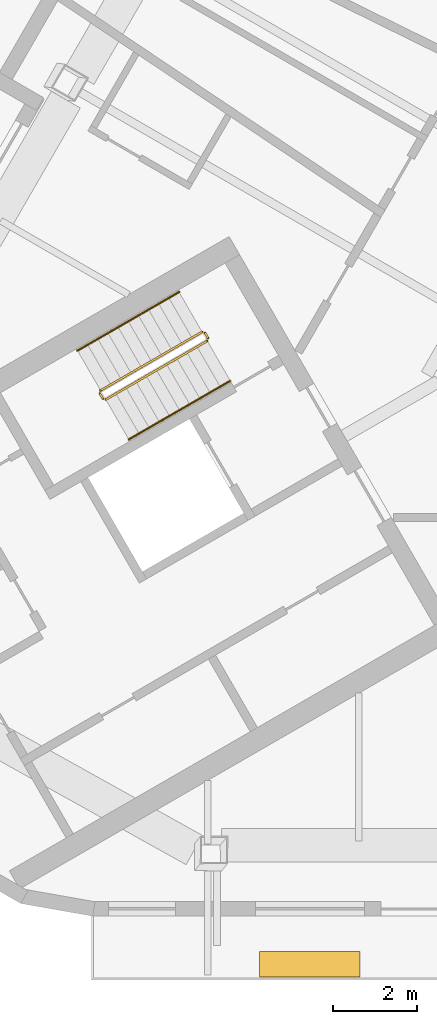
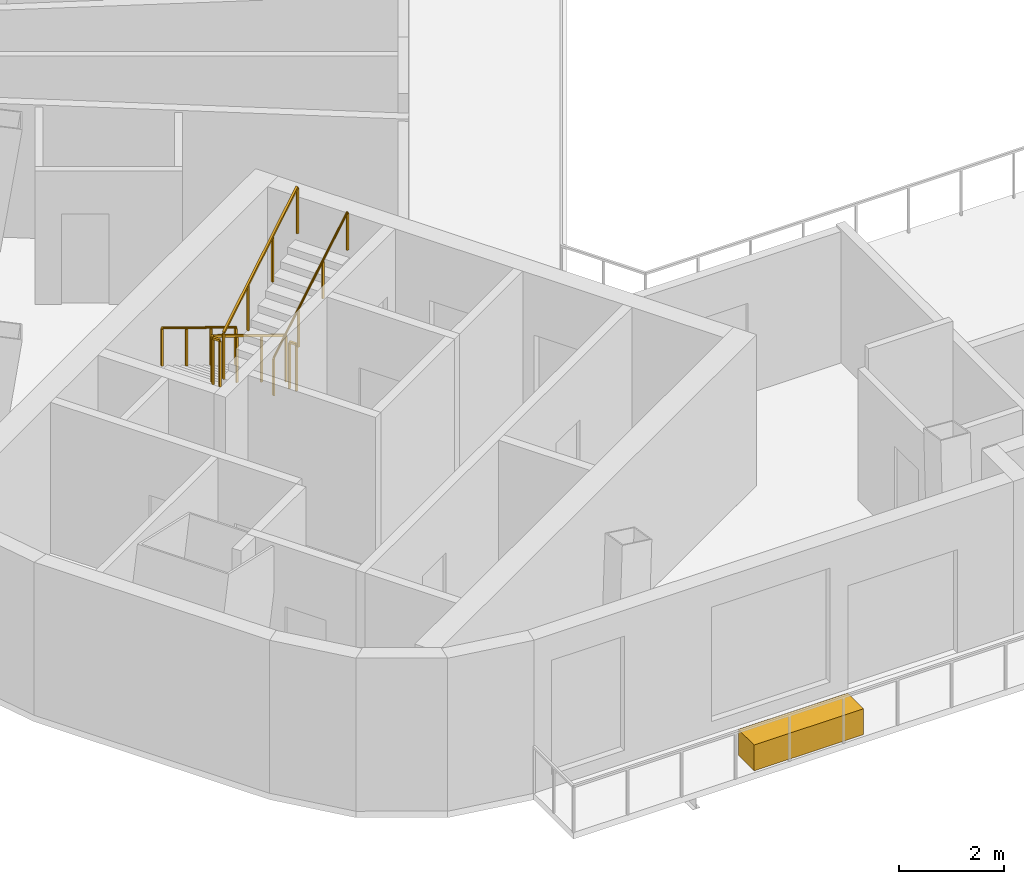
# One storey, part 9 of 13: 6 railings, 1 covering.
"""IFC4 building model written with IfcOpenShell, lengths in metres."""

import ifcopenshell
import ifcopenshell.guid

model = None  # the IFC model being written
_history = None  # IfcOwnerHistory: only IFC2X3 demands one
_inside = {}  # id of a spatial element -> (the spatial element, [elements in it])
_under = {}  # id of a project, library or spatial element -> (it, [spatial elements below it])
_declared = {}  # id of a project -> (the project, [libraries it declares])
_typed = {}  # id of a type object -> (the type object, [elements of that type])
_made_of = {}  # id of a material, layer set ... -> (it, [elements and type objects made of it])


def new_model(schema):
    """Start an empty IFC model of exactly this schema.

    Asked for "IFC4X3", IfcOpenShell would pick the latest addendum, in which some entities
    have other attributes; the version numbers below select the first issue.
    IFC2X3 requires an IfcOwnerHistory on every rooted entity: one is made here for all.
    """
    global model, _history
    if schema == "IFC4X3":
        model = ifcopenshell.file(schema_version=(4, 3, 0, 0))
    else:
        model = ifcopenshell.file(schema=schema)
    _inside.clear()
    _under.clear()
    _declared.clear()
    _typed.clear()
    _made_of.clear()
    _history = None
    if model.schema == "IFC2X3":
        org = make("IfcOrganization", Name="unknown")
        user = make(
            "IfcPersonAndOrganization",
            ThePerson=make("IfcPerson", FamilyName="unknown"),
            TheOrganization=org,
        )
        app = make(
            "IfcApplication",
            ApplicationDeveloper=org,
            Version="unknown",
            ApplicationFullName="unknown",
            ApplicationIdentifier="unknown",
        )
        _history = make(
            "IfcOwnerHistory",
            OwningUser=user,
            OwningApplication=app,
            ChangeAction="ADDED",
            CreationDate=0,
        )
    return model


def make(cls, **values):
    """One entity of the class cls with the attributes given. An attribute that is None is left unset."""
    return model.create_entity(
        cls, **{name: value for name, value in values.items() if value is not None}
    )


def rooted(cls, **values):
    """An entity with a GlobalId (a new one), such as an element, a storey or a relation."""
    return make(cls, GlobalId=ifcopenshell.guid.new(), OwnerHistory=_history, **values)


def si_unit(unit_type, name, prefix=None):
    """IfcSIUnit, for example si_unit("LENGTHUNIT", "METRE", prefix="MILLI")."""
    return make("IfcSIUnit", UnitType=unit_type, Prefix=prefix, Name=name)


def assignment(units):
    """IfcUnitAssignment: the units of a project."""
    return None if units is None else make("IfcUnitAssignment", Units=units)


def point(xyz):
    """IfcCartesianPoint."""
    return None if xyz is None else make("IfcCartesianPoint", Coordinates=xyz)


def direction(xyz):
    """IfcDirection."""
    return None if xyz is None else make("IfcDirection", DirectionRatios=xyz)


def frame(location, z_axis=None, x_axis=None):
    """IfcAxis2Placement3D, a coordinate frame: its origin and axes. An axis left out is left unset."""
    return make(
        "IfcAxis2Placement3D",
        Location=point(location),
        Axis=direction(z_axis),
        RefDirection=direction(x_axis),
    )


def frame_2d(location, x_axis=None):
    """IfcAxis2Placement2D, a coordinate frame in the plane: its origin and x axis."""
    return make(
        "IfcAxis2Placement2D", Location=point(location), RefDirection=direction(x_axis)
    )


def origin():
    """The frame at (0, 0, 0) with its axes left unset."""
    return frame((0.0, 0.0, 0.0))


def origin_2d():
    """The frame at (0, 0) in the plane with its x axis left unset."""
    return frame_2d((0.0, 0.0))


def place(relative_to, where):
    """IfcLocalPlacement: puts the frame where relative to a parent placement (None: the world)."""
    return make(
        "IfcLocalPlacement", PlacementRelTo=relative_to, RelativePlacement=where
    )


def context(
    kind, dimensions, precision=None, world=None, true_north=None, identifier=None
):
    """IfcGeometricRepresentationContext, for example the 3D "Model" context."""
    return make(
        "IfcGeometricRepresentationContext",
        ContextIdentifier=identifier,
        ContextType=kind,
        CoordinateSpaceDimension=dimensions,
        Precision=precision,
        WorldCoordinateSystem=world,
        TrueNorth=true_north,
    )


def subcontext(parent, identifier, kind, view, scale=None):
    """IfcGeometricRepresentationSubContext, for example "Body" below "Model"."""
    return make(
        "IfcGeometricRepresentationSubContext",
        ContextIdentifier=identifier,
        ContextType=kind,
        ParentContext=parent,
        TargetScale=scale,
        TargetView=view,
    )


def project(units=None, contexts=None):
    """IfcProject with its units and contexts."""
    return rooted(
        "IfcProject",
        Name="project",
        RepresentationContexts=contexts,
        UnitsInContext=assignment(units),
    )


def spatial(cls, under=None, at=None, **own):
    """A site, building, storey or space (cls), placed at a placement, below another one or the project."""
    s = rooted(cls, ObjectPlacement=at, **own)
    if under is not None:
        _under.setdefault(under.id(), (under, []))[1].append(s)
    return s


def profile(cls, at=None, kind="AREA", **sizes):
    """A parametric profile (cls). Its sizes go by their IFC names, for example OverallWidth=200.0."""
    return make(cls, ProfileType=kind, Position=at, **sizes)


def rectangle(**sizes):
    """IfcRectangleProfileDef."""
    return profile("IfcRectangleProfileDef", **sizes)


def circle(**sizes):
    """IfcCircleProfileDef."""
    return profile("IfcCircleProfileDef", **sizes)


def extrude(swept, where, along, depth):
    """IfcExtrudedAreaSolid: the profile swept, set in the frame where, extruded along a direction by depth."""
    return make(
        "IfcExtrudedAreaSolid",
        SweptArea=swept,
        Position=where,
        ExtrudedDirection=direction(along),
        Depth=depth,
    )


def shape(context_of_items, identifier, shape_type, items):
    """IfcShapeRepresentation: the items that make up one representation, for example the "Body"."""
    return make(
        "IfcShapeRepresentation",
        ContextOfItems=context_of_items,
        RepresentationIdentifier=identifier,
        RepresentationType=shape_type,
        Items=items,
    )


def material(Name=None, Category=None):
    """IfcMaterial."""
    return make("IfcMaterial", Name=Name, Category=Category)


def made_of(thing, what):
    """Note that an element or type object is made of a material, layer set ...; save() writes the relation."""
    if what is not None:
        _made_of.setdefault(what.id(), (what, []))[1].append(thing)
    return thing


def type_object(cls, material=None, **own):
    """A type object (cls), such as IfcWallType, which elements share."""
    return made_of(rooted(cls, **own), material)


def element(
    cls,
    number,
    at=None,
    inside=None,
    cuts=None,
    type_object=None,
    material=None,
    context=None,
    identifier="Body",
    shape_type=None,
    held_by="IfcProductDefinitionShape",
    body=None,
    shapes=None,
    **own,
):
    """One element of the class cls, such as IfcWall. Its Tag is "e" and its number.

    at: its placement. inside: the storey or other place that contains it. cuts: it is an
    opening in that element (IfcRelVoidsElement). A single representation is given by context,
    identifier, shape_type and body (its items); several are given by shapes. held_by: the class
    of the entity that holds the representations. save() writes the other relations.
    """
    e = rooted(cls, Tag="e%d" % number, ObjectPlacement=at, **own)
    if body is not None:
        shapes = [shape(context, identifier, shape_type, body)]
    if shapes is not None:
        e.Representation = make(held_by, Representations=shapes)
    if inside is not None:
        _inside.setdefault(inside.id(), (inside, []))[1].append(e)
    if cuts is not None:
        rooted(
            "IfcRelVoidsElement", RelatingBuildingElement=cuts, RelatedOpeningElement=e
        )
    if type_object is not None:
        _typed.setdefault(type_object.id(), (type_object, []))[1].append(e)
    return made_of(e, material)


def aggregate(whole, parts):
    """IfcRelAggregates: a whole, such as a stair, and the parts it consists of."""
    return rooted("IfcRelAggregates", RelatingObject=whole, RelatedObjects=parts)


def save(model, path):
    """Write the relations noted so far, then the file.

    IfcRelAggregates (storeys below a building ...), IfcRelContainedInSpatialStructure (elements
    in a storey), IfcRelDefinesByType, IfcRelAssociatesMaterial and IfcRelDeclares: one each for
    every whole, place, type object, material and project.
    """
    for whole, parts in _under.values():
        aggregate(whole, parts)
    for where, things in _inside.values():
        rooted(
            "IfcRelContainedInSpatialStructure",
            RelatedElements=things,
            RelatingStructure=where,
        )
    for kind, things in _typed.values():
        rooted("IfcRelDefinesByType", RelatedObjects=things, RelatingType=kind)
    for what, things in _made_of.values():
        rooted("IfcRelAssociatesMaterial", RelatedObjects=things, RelatingMaterial=what)
    for by, libraries in _declared.values():
        rooted("IfcRelDeclares", RelatingContext=by, RelatedDefinitions=libraries)
    model.write(path)


model = new_model("IFC4")

# Units and contexts
model_context = context("Model", 3, precision=1e-05, world=origin(), true_north=direction((0.0, 1.0)))
body_context = subcontext(model_context, "Body", "Model", "MODEL_VIEW")
ifc_project = project(units=[si_unit("LENGTHUNIT", "METRE"), si_unit("AREAUNIT", "SQUARE_METRE"), si_unit("VOLUMEUNIT", "CUBIC_METRE"), si_unit("PLANEANGLEUNIT", "RADIAN"), si_unit("MASSUNIT", "GRAM", prefix="KILO")], contexts=[model_context])

# Site, building, storey
site_placement = place(None, origin())
site = spatial("IfcSite", under=ifc_project, at=site_placement, CompositionType="ELEMENT")
building_placement = place(site_placement, origin())
building = spatial("IfcBuilding", under=site, at=building_placement, Name="Apuvela Tower Hotel", CompositionType="ELEMENT")
storey_placement = place(building_placement, frame((0.0, 0.0, 287.39990234375)))
storey = spatial("IfcBuildingStorey", under=building, at=storey_placement, Name="L71", CompositionType="ELEMENT", Elevation=287.39990234375)

# Railings
ifc_material_1 = material(Name="Steel S275 balustrade", Category="steel")
railing_type_1 = type_object("IfcRailingType", Name="COR-GUARD-1100", PredefinedType="GUARDRAIL", material=ifc_material_1)
railing_1_placement = place(storey_placement, frame((-14.569091796875, -3.9658203125, 0.168212890625)))
element("IfcRailing", 1, at=railing_1_placement, inside=storey, type_object=railing_type_1, Name="L71 ST2 stair guard 1", PredefinedType="GUARDRAIL", context=body_context, shape_type="SweptSolid", body=[
    extrude(rectangle(XDim=0.048095703125, YDim=0.048095703125, at=origin_2d()), frame((0.0, 0.0, 1.076171875), z_axis=(-0.742390482028, -0.42860119049, 0.514934356695), x_axis=(0.49998411664, -0.866034573852, 0.0)), (0.0, 0.0, 1.0), 3.26611328125),
    extrude(rectangle(XDim=0.0419921875, YDim=0.0419921875, at=origin_2d()), origin(), (0.0, 0.0, 1.0), 1.052001953125),
    extrude(rectangle(XDim=0.0419921875, YDim=0.0419921875, at=origin_2d()), frame((-0.808349609375, -0.466552734375, 0.560546875)), (0.0, 0.0, 1.0), 1.052001953125),
    extrude(rectangle(XDim=0.0419921875, YDim=0.0419921875, at=origin_2d()), frame((-1.616455078125, -0.933349609375, 1.121337890625)), (0.0, 0.0, 1.0), 1.052001953125),
    extrude(rectangle(XDim=0.0419921875, YDim=0.0419921875, at=origin_2d()), frame((-2.4248046875, -1.39990234375, 1.681884765625)), (0.0, 0.0, 1.0), 1.052001953125),
])
railing_2_placement = place(storey_placement, frame((-17.01220703125, -5.43408203125, 1.85009765625)))
element("IfcRailing", 2, at=railing_2_placement, inside=storey, type_object=railing_type_1, Name="L71 ST2 stair guard 2", PredefinedType="GUARDRAIL", context=body_context, shape_type="SweptSolid", body=[
    extrude(rectangle(XDim=0.048095703125, YDim=0.048095703125, at=origin_2d()), frame((0.0, 0.0, 1.076171875), z_axis=(0.499816412211, -0.866131372301, 0.0), x_axis=(0.866131372301, 0.499816412211, 0.0)), (0.0, 0.0, 1.0), 0.14990234375),
    extrude(rectangle(XDim=0.0419921875, YDim=0.0419921875, at=origin_2d()), origin(), (0.0, 0.0, 1.0), 1.052001953125),
    extrude(rectangle(XDim=0.0419921875, YDim=0.0419921875, at=origin_2d()), frame((0.074951171875, -0.1298828125, 0.0)), (0.0, 0.0, 1.0), 1.052001953125),
])
railing_3_placement = place(storey_placement, frame((-16.868896484375, -5.582275390625, 2.018310546875)))
element("IfcRailing", 3, at=railing_3_placement, inside=storey, type_object=railing_type_1, Name="L71 ST2 stair guard 3", PredefinedType="GUARDRAIL", context=body_context, shape_type="SweptSolid", body=[
    extrude(rectangle(XDim=0.048095703125, YDim=0.048095703125, at=origin_2d()), frame((0.0, 0.0, 1.076171875), z_axis=(0.742390482028, 0.42860119049, 0.514934356695), x_axis=(-0.49998411664, 0.866034573852, 0.0)), (0.0, 0.0, 1.0), 3.26611328125),
    extrude(rectangle(XDim=0.0419921875, YDim=0.0419921875, at=origin_2d()), origin(), (0.0, 0.0, 1.0), 1.052001953125),
    extrude(rectangle(XDim=0.0419921875, YDim=0.0419921875, at=origin_2d()), frame((0.808349609375, 0.466552734375, 0.560546875)), (0.0, 0.0, 1.0), 1.052001953125),
    extrude(rectangle(XDim=0.0419921875, YDim=0.0419921875, at=origin_2d()), frame((1.616455078125, 0.933349609375, 1.121337890625)), (0.0, 0.0, 1.0), 1.052001953125),
    extrude(rectangle(XDim=0.0419921875, YDim=0.0419921875, at=origin_2d()), frame((2.4248046875, 1.39990234375, 1.681884765625)), (0.0, 0.0, 1.0), 1.052001953125),
])
railing_4_placement = place(storey_placement, frame((-14.500732421875, -3.984130859375, 0.0)))
element("IfcRailing", 4, at=railing_4_placement, inside=storey, type_object=railing_type_1, Name="L71 ST2 stair guard 4", PredefinedType="GUARDRAIL", context=body_context, shape_type="SweptSolid", body=[
    extrude(rectangle(XDim=0.048095703125, YDim=0.048095703125, at=origin_2d()), frame((0.0, 0.0, 1.076171875), z_axis=(0.499816412211, -0.866131372301, 0.0), x_axis=(0.866131372301, 0.499816412211, 0.0)), (0.0, 0.0, 1.0), 0.14990234375),
    extrude(rectangle(XDim=0.0419921875, YDim=0.0419921875, at=origin_2d()), origin(), (0.0, 0.0, 1.0), 1.052001953125),
    extrude(rectangle(XDim=0.0419921875, YDim=0.0419921875, at=origin_2d()), frame((0.074951171875, -0.1298828125, 0.0)), (0.0, 0.0, 1.0), 1.052001953125),
])
ifc_material_2 = material(Name="Stainless steel 316 handrail", Category="steel")
railing_type_2 = type_object("IfcRailingType", Name="COR-HANDRAIL-900", PredefinedType="HANDRAIL", material=ifc_material_2)
railing_5_placement = place(storey_placement, frame((-15.118896484375, -3.01318359375, 0.168212890625)))
element("IfcRailing", 5, at=railing_5_placement, inside=storey, type_object=railing_type_2, Name="L71 ST2 stair handrail 1", PredefinedType="HANDRAIL", context=body_context, shape_type="SweptSolid", body=[
    extrude(circle(Radius=0.02392578125, at=origin_2d()), frame((0.0, 0.0, 0.8759765625), z_axis=(-0.742424030051, -0.428577407461, 0.514905783049), x_axis=(0.49994636267, -0.866056369097, 0.0)), (0.0, 0.0, 1.0), 3.266357421875),
    extrude(rectangle(XDim=0.0419921875, YDim=0.0419921875, at=origin_2d()), origin(), (0.0, 0.0, 1.0), 0.851806640625),
    extrude(rectangle(XDim=0.0419921875, YDim=0.0419921875, at=origin_2d()), frame((-0.808349609375, -0.466552734375, 0.560546875)), (0.0, 0.0, 1.0), 0.851806640625),
    extrude(rectangle(XDim=0.0419921875, YDim=0.0419921875, at=origin_2d()), frame((-1.61669921875, -0.933349609375, 1.121337890625)), (0.0, 0.0, 1.0), 0.851806640625),
    extrude(rectangle(XDim=0.0419921875, YDim=0.0419921875, at=origin_2d()), frame((-2.425048828125, -1.39990234375, 1.681884765625)), (0.0, 0.0, 1.0), 0.851806640625),
])
railing_6_placement = place(storey_placement, frame((-16.31884765625, -6.534912109375, 2.018310546875)))
element("IfcRailing", 6, at=railing_6_placement, inside=storey, type_object=railing_type_2, Name="L71 ST2 stair handrail 2", PredefinedType="HANDRAIL", context=body_context, shape_type="SweptSolid", body=[
    extrude(circle(Radius=0.02392578125, at=origin_2d()), frame((0.0, 0.0, 0.8759765625), z_axis=(0.742390482028, 0.42860119049, 0.514934356695), x_axis=(-0.49998411664, 0.866034573852, 0.0)), (0.0, 0.0, 1.0), 3.26611328125),
    extrude(rectangle(XDim=0.0419921875, YDim=0.0419921875, at=origin_2d()), origin(), (0.0, 0.0, 1.0), 0.851806640625),
    extrude(rectangle(XDim=0.0419921875, YDim=0.0419921875, at=origin_2d()), frame((0.808349609375, 0.466552734375, 0.560546875)), (0.0, 0.0, 1.0), 0.851806640625),
    extrude(rectangle(XDim=0.0419921875, YDim=0.0419921875, at=origin_2d()), frame((1.616455078125, 0.933349609375, 1.121337890625)), (0.0, 0.0, 1.0), 0.851806640625),
    extrude(rectangle(XDim=0.0419921875, YDim=0.0419921875, at=origin_2d()), frame((2.4248046875, 1.39990234375, 1.681884765625)), (0.0, 0.0, 1.0), 0.851806640625),
])

# Covering
ifc_material_3 = material(Name="Planting substrate and soil, planted")
covering_type = type_object("IfcCoveringType", Name="ENV-PLANTER-2400x600", PredefinedType="USERDEFINED", material=ifc_material_3)
covering_placement = place(storey_placement, frame((-11.99267578125, -19.07861328125, 0.0), z_axis=(0.0, 0.0, 1.0), x_axis=(1.0, 0.0, 0.0)))
element("IfcCovering", 7, at=covering_placement, inside=storey, type_object=covering_type, Name="Planter S1", ObjectType="PLANTER", PredefinedType="USERDEFINED", context=body_context, shape_type="SweptSolid", body=[
    extrude(rectangle(XDim=2.39990234375, YDim=0.60009765625, at=origin_2d()), origin(), (0.0, 0.0, 1.0), 0.60009765625),
])

save(model, "model.ifc")
